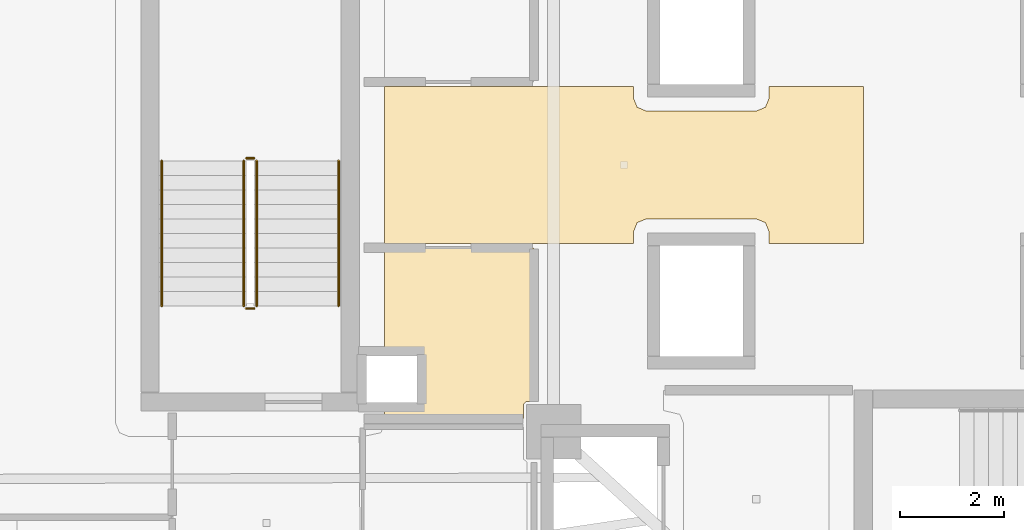
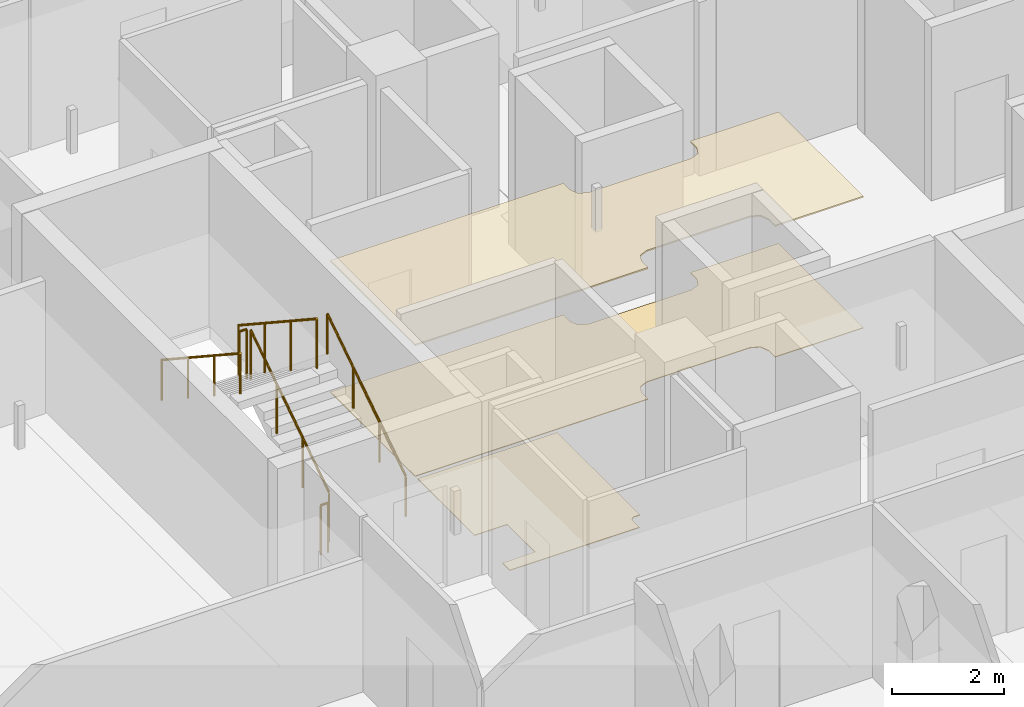
# One storey, part 34 of 39: 6 railings, 3 coverings.
"""IFC4 building model written with IfcOpenShell, lengths in metres."""

from ifc_helpers import new_model, si_unit, direction, frame, origin, origin_2d, place, context, subcontext, project, spatial, polyline, circle, outline, extrude, material, layer, layer_set, type_object, element, save


model = new_model("IFC4")

# Units and contexts
model_context = context("Model", 3, precision=1e-05, world=origin(), true_north=direction((0.0, 1.0)))
body_context = subcontext(model_context, "Body", "Model", "MODEL_VIEW")
ifc_project = project(units=[si_unit("LENGTHUNIT", "METRE"), si_unit("AREAUNIT", "SQUARE_METRE"), si_unit("VOLUMEUNIT", "CUBIC_METRE"), si_unit("PLANEANGLEUNIT", "RADIAN"), si_unit("MASSUNIT", "GRAM", prefix="KILO")], contexts=[model_context])

# Site, building, storey
site_placement = place(None, origin())
site = spatial("IfcSite", under=ifc_project, at=site_placement, CompositionType="ELEMENT")
building_placement = place(site_placement, origin())
building = spatial("IfcBuilding", under=site, at=building_placement, Name="Qorvath Tower", CompositionType="ELEMENT")
storey_placement = place(building_placement, frame((0.0, 0.0, 162.449951171875)))
storey = spatial("IfcBuildingStorey", under=building, at=storey_placement, Name="L37", CompositionType="ELEMENT", Elevation=162.449951171875)

# Coverings
ifc_material_1 = material(Name="Acoustic mineral fibre ceiling tile", Category="gypsum")
ifc_layer_1 = layer(ifc_material_1, 0.030029296875)
ifc_layer_set_1 = layer_set([ifc_layer_1], Name="COV-CEIL")
covering_type_1 = type_object("IfcCoveringType", Name="COV-CEIL", PredefinedType="CEILING", material=ifc_layer_set_1)
covering_1_placement = place(storey_placement, frame((0.0, 0.0, 2.85009765625)))
element("IfcCovering", 1, at=covering_1_placement, inside=storey, type_object=covering_type_1, Name="L37 Suspended Acoustic Ceiling 010", PredefinedType="CEILING", context=body_context, shape_type="SweptSolid", body=[
    extrude(outline(polyline([(-24.521484375, -1.514892578125), (-24.521484375, 1.514892578125), (-26.340087890625, 1.514892578125), (-26.340087890625, 1.2900390625), (-26.413330078125, 1.11328125), (-26.590087890625, 1.0400390625), (-28.7099609375, 1.0400390625), (-28.88671875, 1.11328125), (-28.9599609375, 1.2900390625), (-28.9599609375, 1.514892578125), (-33.760009765625, 1.514892578125), (-33.760009765625, -1.514892578125), (-28.9599609375, -1.514892578125), (-28.9599609375, -1.2900390625), (-28.88671875, -1.11328125), (-28.7099609375, -1.0400390625), (-26.590087890625, -1.0400390625), (-26.413330078125, -1.11328125), (-26.340087890625, -1.2900390625), (-26.340087890625, -1.514892578125), (-24.521484375, -1.514892578125)])), origin(), (0.0, 0.0, 1.0), 0.030029296875),
])
ifc_material_2 = material(Name="Low-VOC modular carpet tile", Category="textile")
ifc_layer_2 = layer(ifc_material_2, 0.014892578125)
ifc_layer_set_2 = layer_set([ifc_layer_2], Name="COV-FLOOR-CPT")
covering_type_2 = type_object("IfcCoveringType", Name="COV-FLOOR-CPT", PredefinedType="FLOORING", material=ifc_layer_set_2)
covering_2_placement = place(storey_placement, origin())
element("IfcCovering", 2, at=covering_2_placement, inside=storey, type_object=covering_type_2, Name="L37 Floor Finish 007", PredefinedType="FLOORING", context=body_context, shape_type="SweptSolid", body=[
    extrude(outline(polyline([(-30.885009765625, -4.56494140625), (-30.885009765625, -1.60498046875), (-33.760009765625, -1.60498046875), (-33.760009765625, -3.636962890625), (-33.08837890625, -3.638427734375), (-33.0869140625, -4.6279296875), (-33.760009765625, -4.633056640625), (-33.760009765625, -4.89501953125), (-31.0849609375, -4.89501953125), (-31.0849609375, -4.625), (-31.02490234375, -4.56494140625), (-30.885009765625, -4.56494140625)])), origin(), (0.0, 0.0, 1.0), 0.01513671875),
])
ifc_material_3 = material(Name="Polished epoxy terrazzo flooring", Category="concrete")
ifc_layer_3 = layer(ifc_material_3, 0.02001953125)
ifc_layer_set_3 = layer_set([ifc_layer_3], Name="COV-FLOOR-TRZ")
covering_type_3 = type_object("IfcCoveringType", Name="COV-FLOOR-TRZ", PredefinedType="FLOORING", material=ifc_layer_set_3)
covering_3_placement = place(storey_placement, origin())
element("IfcCovering", 3, at=covering_3_placement, inside=storey, type_object=covering_type_3, Name="L37 Floor Finish 010", PredefinedType="FLOORING", context=body_context, shape_type="SweptSolid", body=[
    extrude(outline(polyline([(-24.521484375, -1.514892578125), (-24.521484375, 1.514892578125), (-26.340087890625, 1.514892578125), (-26.340087890625, 1.2900390625), (-26.413330078125, 1.11328125), (-26.590087890625, 1.0400390625), (-28.7099609375, 1.0400390625), (-28.88671875, 1.11328125), (-28.9599609375, 1.2900390625), (-28.9599609375, 1.514892578125), (-33.760009765625, 1.514892578125), (-33.760009765625, -1.514892578125), (-28.9599609375, -1.514892578125), (-28.9599609375, -1.2900390625), (-28.88671875, -1.11328125), (-28.7099609375, -1.0400390625), (-26.590087890625, -1.0400390625), (-26.413330078125, -1.11328125), (-26.340087890625, -1.2900390625), (-26.340087890625, -1.514892578125), (-24.521484375, -1.514892578125)])), origin(), (0.0, 0.0, 1.0), 0.01513671875),
])

# Railings
ifc_material_4 = material(Name="Painted galvanised steel", Category="steel")
railing_type_1 = type_object("IfcRailingType", Name="RL-STR-GRD", PredefinedType="GUARDRAIL", material=ifc_material_4)
railing_1_placement = place(storey_placement, frame((-36.22998046875, -2.719970703125, 0.18408203125)))
element("IfcRailing", 4, at=railing_1_placement, inside=storey, type_object=railing_type_1, Name="L37 TS3 stair guard 1", PredefinedType="GUARDRAIL", context=body_context, shape_type="SweptSolid", body=[
    extrude(circle(Radius=0.02392578125, at=origin_2d()), frame((0.0, 0.0, 1.076171875), z_axis=(0.0, 0.83556406348, 0.549393024911), x_axis=(-1.0, 0.0, 0.0)), (0.0, 0.0, 1.0), 3.35107421875),
    extrude(circle(Radius=0.02099609375, at=origin_2d()), origin(), (0.0, 0.0, 1.0), 1.052001953125),
    extrude(circle(Radius=0.02099609375, at=origin_2d()), frame((0.0, 0.933349609375, 0.61376953125)), (0.0, 0.0, 1.0), 1.052001953125),
    extrude(circle(Radius=0.02099609375, at=origin_2d()), frame((0.0, 1.86669921875, 1.227294921875)), (0.0, 0.0, 1.0), 1.052001953125),
    extrude(circle(Radius=0.02099609375, at=origin_2d()), frame((0.0, 2.800048828125, 1.841064453125)), (0.0, 0.0, 1.0), 1.052001953125),
])
railing_2_placement = place(storey_placement, frame((-36.280029296875, 0.1298828125, 2.025146484375)))
element("IfcRailing", 5, at=railing_2_placement, inside=storey, type_object=railing_type_1, Name="L37 TS3 stair guard 2", PredefinedType="GUARDRAIL", context=body_context, shape_type="SweptSolid", body=[
    extrude(circle(Radius=0.02392578125, at=origin_2d()), frame((0.0, 0.0, 1.076171875), z_axis=(-1.0, 0.0, 0.0), x_axis=(0.0, -1.0, 0.0)), (0.0, 0.0, 1.0), 0.14990234375),
    extrude(circle(Radius=0.02099609375, at=origin_2d()), origin(), (0.0, 0.0, 1.0), 1.052001953125),
    extrude(circle(Radius=0.02099609375, at=origin_2d()), frame((-0.14990234375, 0.0, 0.0)), (0.0, 0.0, 1.0), 1.052001953125),
])
railing_3_placement = place(storey_placement, frame((-36.47998046875, 0.080078125, 2.209228515625)))
element("IfcRailing", 6, at=railing_3_placement, inside=storey, type_object=railing_type_1, Name="L37 TS3 stair guard 3", PredefinedType="GUARDRAIL", context=body_context, shape_type="SweptSolid", body=[
    extrude(circle(Radius=0.02392578125, at=origin_2d()), frame((0.0, 0.0, 1.076171875), z_axis=(0.0, -0.835597507184, 0.549342157483), x_axis=(1.0, 0.0, 0.0)), (0.0, 0.0, 1.0), 3.35107421875),
    extrude(circle(Radius=0.02099609375, at=origin_2d()), origin(), (0.0, 0.0, 1.0), 1.052001953125),
    extrude(circle(Radius=0.02099609375, at=origin_2d()), frame((0.0, -0.933349609375, 0.613525390625)), (0.0, 0.0, 1.0), 1.052001953125),
    extrude(circle(Radius=0.02099609375, at=origin_2d()), frame((0.0, -1.86669921875, 1.227294921875)), (0.0, 0.0, 1.0), 1.052001953125),
    extrude(circle(Radius=0.02099609375, at=origin_2d()), frame((0.0, -2.800048828125, 1.8408203125)), (0.0, 0.0, 1.0), 1.052001953125),
])
railing_4_placement = place(storey_placement, frame((-36.280029296875, -2.77001953125, 0.0)))
element("IfcRailing", 7, at=railing_4_placement, inside=storey, type_object=railing_type_1, Name="L37 TS3 stair guard 4", PredefinedType="GUARDRAIL", context=body_context, shape_type="SweptSolid", body=[
    extrude(circle(Radius=0.02392578125, at=origin_2d()), frame((0.0, 0.0, 1.076171875), z_axis=(-1.0, 0.0, 0.0), x_axis=(0.0, -1.0, 0.0)), (0.0, 0.0, 1.0), 0.14990234375),
    extrude(circle(Radius=0.02099609375, at=origin_2d()), origin(), (0.0, 0.0, 1.0), 1.052001953125),
    extrude(circle(Radius=0.02099609375, at=origin_2d()), frame((-0.14990234375, 0.0, 0.0)), (0.0, 0.0, 1.0), 1.052001953125),
])
ifc_material_5 = material(Name="Brushed stainless steel AISI 304", Category="steel")
railing_type_2 = type_object("IfcRailingType", Name="RL-STR-HND", PredefinedType="HANDRAIL", material=ifc_material_5)
railing_5_placement = place(storey_placement, frame((-34.64990234375, -2.719970703125, 0.18408203125)))
element("IfcRailing", 8, at=railing_5_placement, inside=storey, type_object=railing_type_2, Name="L37 TS3 stair handrail 1", PredefinedType="HANDRAIL", context=body_context, shape_type="SweptSolid", body=[
    extrude(circle(Radius=0.02392578125, at=origin_2d()), frame((0.0, 0.0, 0.8759765625), z_axis=(0.0, 0.83556406348, 0.549393024911), x_axis=(-1.0, 0.0, 0.0)), (0.0, 0.0, 1.0), 3.35107421875),
    extrude(circle(Radius=0.02099609375, at=origin_2d()), origin(), (0.0, 0.0, 1.0), 0.851806640625),
    extrude(circle(Radius=0.02099609375, at=origin_2d()), frame((0.0, 0.933349609375, 0.61376953125)), (0.0, 0.0, 1.0), 0.851806640625),
    extrude(circle(Radius=0.02099609375, at=origin_2d()), frame((0.0, 1.86669921875, 1.227294921875)), (0.0, 0.0, 1.0), 0.851806640625),
    extrude(circle(Radius=0.02099609375, at=origin_2d()), frame((0.0, 2.800048828125, 1.841064453125)), (0.0, 0.0, 1.0), 0.851806640625),
])
railing_6_placement = place(storey_placement, frame((-38.06005859375, 0.080078125, 2.209228515625)))
element("IfcRailing", 9, at=railing_6_placement, inside=storey, type_object=railing_type_2, Name="L37 TS3 stair handrail 2", PredefinedType="HANDRAIL", context=body_context, shape_type="SweptSolid", body=[
    extrude(circle(Radius=0.02392578125, at=origin_2d()), frame((0.0, 0.0, 0.8759765625), z_axis=(0.0, -0.835597507184, 0.549342157483), x_axis=(1.0, 0.0, 0.0)), (0.0, 0.0, 1.0), 3.35107421875),
    extrude(circle(Radius=0.02099609375, at=origin_2d()), origin(), (0.0, 0.0, 1.0), 0.851806640625),
    extrude(circle(Radius=0.02099609375, at=origin_2d()), frame((0.0, -0.933349609375, 0.613525390625)), (0.0, 0.0, 1.0), 0.851806640625),
    extrude(circle(Radius=0.02099609375, at=origin_2d()), frame((0.0, -1.86669921875, 1.227294921875)), (0.0, 0.0, 1.0), 0.851806640625),
    extrude(circle(Radius=0.02099609375, at=origin_2d()), frame((0.0, -2.800048828125, 1.8408203125)), (0.0, 0.0, 1.0), 0.851806640625),
])

save(model, "model.ifc")
